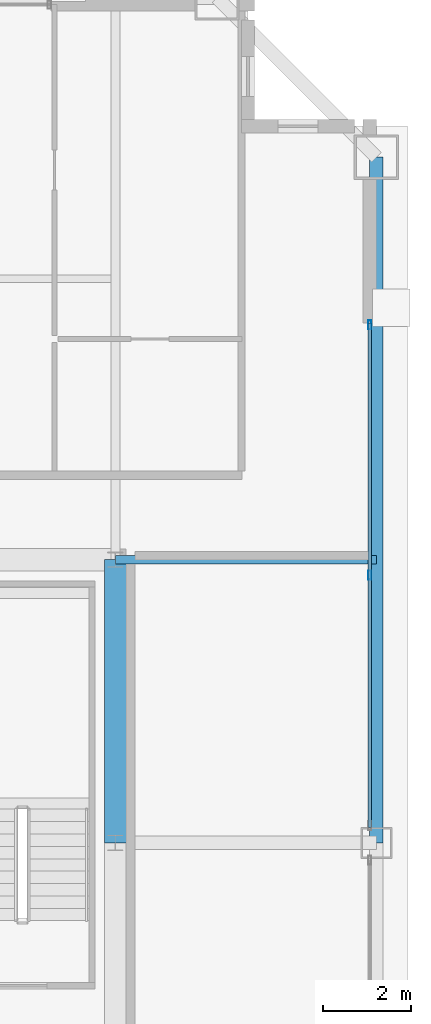
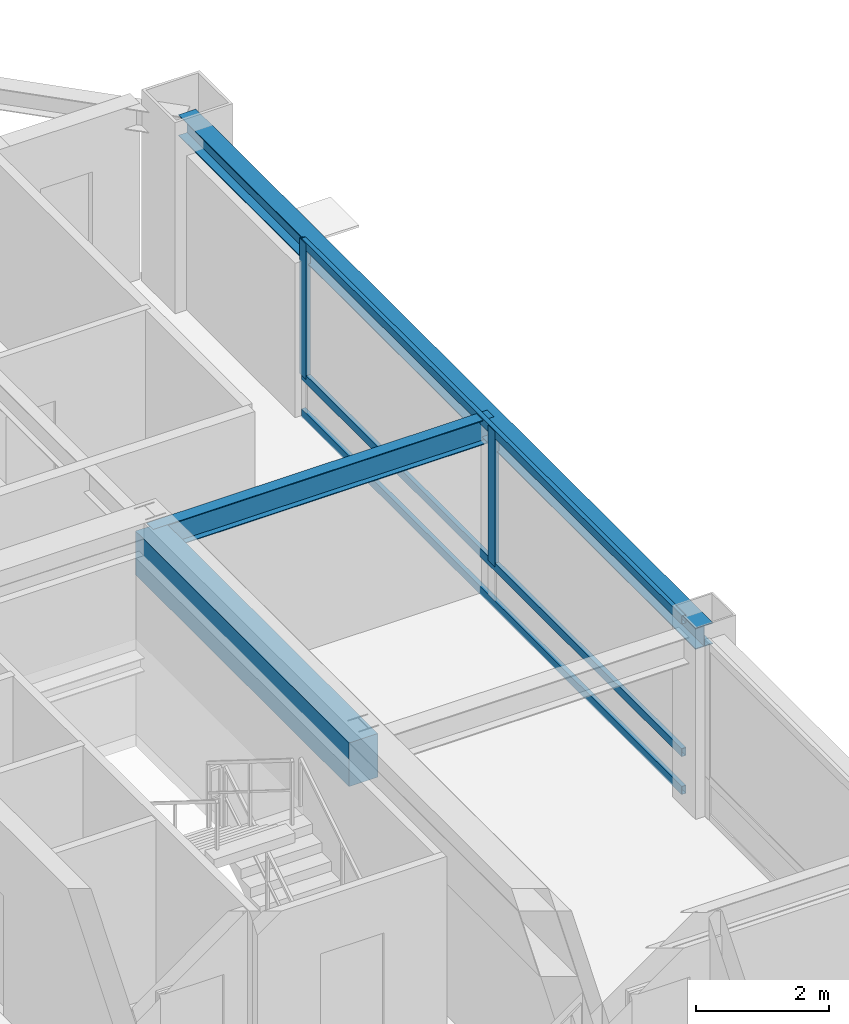
# One storey, part 15 of 35: 5 members, 3 beams, 1 element without a shape of its own.
"""IFC4 building model written with IfcOpenShell, lengths in metres."""

from ifc_helpers import new_model, si_unit, direction, frame, origin, origin_2d, place, context, subcontext, project, spatial, rectangle, hollow_rectangle, i_section, extrude, source, transform, mapped, material, layer, layer_set, material_profile, profile_set, type_object, element, aggregate, save


model = new_model("IFC4")

# Units and contexts
model_context = context("Model", 3, precision=1e-05, world=origin(), true_north=direction((0.0, 1.0)))
body_context = subcontext(model_context, "Body", "Model", "MODEL_VIEW")
ifc_project = project(units=[si_unit("LENGTHUNIT", "METRE"), si_unit("AREAUNIT", "SQUARE_METRE"), si_unit("VOLUMEUNIT", "CUBIC_METRE"), si_unit("PLANEANGLEUNIT", "RADIAN"), si_unit("MASSUNIT", "GRAM", prefix="KILO"), si_unit("THERMODYNAMICTEMPERATUREUNIT", "KELVIN"), si_unit("POWERUNIT", "WATT")], contexts=[model_context])

# Site, building, storey
site_placement = place(None, origin())
site = spatial("IfcSite", under=ifc_project, at=site_placement, CompositionType="ELEMENT")
building_placement = place(site_placement, origin())
building = spatial("IfcBuilding", under=site, at=building_placement, Name="Yuzanri Waterfront Tower", CompositionType="ELEMENT")
storey_placement = place(building_placement, frame((0.0, 0.0, 303.10009765625)))
storey = spatial("IfcBuildingStorey", under=building, at=storey_placement, Name="L81", CompositionType="ELEMENT", Elevation=303.10009765625)

# Beams
ifc_material_1 = material(Name="Concrete C50", Category="concrete")
ifc_material_profile_1 = material_profile(ifc_material_1, rectangle(XDim=0.5, YDim=0.800048828125, at=origin_2d()), Name="RC 500x800")
ifc_profile_set_1 = profile_set([ifc_material_profile_1], Name="Concrete C50")
beam_type_1 = type_object("IfcBeamType", Name="Core Coupling Lintel Concrete C50 500x800", PredefinedType="LINTEL", material=ifc_profile_set_1)
shared_shape_1 = source(origin(), body_context, "Body", "SweptSolid", [
    extrude(rectangle(XDim=0.5, YDim=0.800048828125, at=origin_2d()), origin(), (0.0, 0.0, 1.0), 6.39990234375),
])
beam_1_placement = place(storey_placement, frame((50.199951171875, 25.800048828125, 2.81982421875), z_axis=(0.0, 1.0, 0.0), x_axis=(-1.0, 0.0, 0.0)))
element("IfcBeam", 1, at=beam_1_placement, inside=storey, type_object=beam_type_1, Name="L81 Core Tie Beam CE2", PredefinedType="LINTEL", context=body_context, shape_type="MappedRepresentation", body=[
    mapped(shared_shape_1, transform((0.0, 0.0, 0.0), scale=1.0)),
])
ifc_material_2 = material(Name="Steel Q355B", Category="steel")
ifc_material_profile_2 = material_profile(ifc_material_2, i_section(OverallWidth=0.300048828125, OverallDepth=0.389892578125, WebThickness=0.010009765625, FlangeThickness=0.01611328125, at=origin_2d()), Name="HM 390x300x10x16")
ifc_profile_set_2 = profile_set([ifc_material_profile_2], Name="Steel Q355B")
beam_type_2 = type_object("IfcBeamType", Name="Perimeter Spandrel Q355B HM 390x300", PredefinedType="SPANDREL", material=ifc_profile_set_2)
shared_shape_2 = source(origin(), body_context, "Body", "SweptSolid", [
    extrude(i_section(OverallWidth=0.300048828125, OverallDepth=0.389892578125, WebThickness=0.010009765625, FlangeThickness=0.01611328125, at=origin_2d()), origin(), (0.0, 0.0, 1.0), 15.5),
])
beam_2_placement = place(storey_placement, frame((56.10009765625, 25.800048828125, 3.02490234375), z_axis=(0.0, 1.0, 0.0), x_axis=(-1.0, 0.0, 0.0)))
element("IfcBeam", 2, at=beam_2_placement, inside=storey, type_object=beam_type_2, Name="L81 Perimeter Spandrel E2-E3", PredefinedType="SPANDREL", context=body_context, shape_type="MappedRepresentation", body=[
    mapped(shared_shape_2, transform((0.0, 0.0, 0.0), scale=1.0)),
])
ifc_material_3 = material(Name="Steel Q355B", Category="steel")
ifc_material_profile_3 = material_profile(ifc_material_3, i_section(OverallWidth=0.199951171875, OverallDepth=0.449951171875, WebThickness=0.009033203125, FlangeThickness=0.013916015625, at=origin_2d()), Name="HN 450x200x9x14")
ifc_profile_set_3 = profile_set([ifc_material_profile_3], Name="Steel Q355B")
beam_type_3 = type_object("IfcBeamType", Name="Secondary Floor Beam Q355B HN 450x200", PredefinedType="BEAM", material=ifc_profile_set_3)
shared_shape_3 = source(origin(), body_context, "Body", "SweptSolid", [
    extrude(i_section(OverallWidth=0.199951171875, OverallDepth=0.449951171875, WebThickness=0.009033203125, FlangeThickness=0.013916015625, at=origin_2d()), origin(), (0.0, 0.0, 1.0), 5.900146484375),
])
beam_3_placement = place(storey_placement, frame((50.199951171875, 32.199951171875, 2.994873046875), z_axis=(1.0, 0.0, 0.0), x_axis=(0.0, 1.0, 0.0)))
element("IfcBeam", 3, at=beam_3_placement, inside=storey, type_object=beam_type_3, Name="L81 East-North Core Line Beam", PredefinedType="BEAM", context=body_context, shape_type="MappedRepresentation", body=[
    mapped(shared_shape_3, transform((0.0, 0.0, 0.0), scale=1.0)),
])

# Curtain wall, members
ifc_material_4 = material(Name="Anodized Architectural Bronze", Category="metal")
ifc_layer = layer(ifc_material_4, 0.159912109375)
ifc_layer_set = layer_set([ifc_layer], Name="Anodized Architectural Bronze")
curtain_wall_type = type_object("IfcCurtainWallType", Name="Anodized Bronze High-Rise Penthouse High-Wind Unitized Curtain Wall 6900", PredefinedType="NOTDEFINED", material=ifc_layer_set)
curtain_wall_placement = place(storey_placement, origin())
curtain_wall = element("IfcCurtainWall", 4, at=curtain_wall_placement, inside=storey, type_object=curtain_wall_type, Name="L81 Curtain Wall CW-L81-ER", PredefinedType="NOTDEFINED")
ifc_material_5 = material(Name="Anodized Architectural Bronze", Category="metal")
ifc_material_profile_4 = material_profile(ifc_material_5, hollow_rectangle(XDim=0.074951171875, YDim=0.14990234375, WallThickness=0.00390625, at=origin_2d()), Name="CWT 75x150")
ifc_profile_set_4 = profile_set([ifc_material_profile_4], Name="Anodized Architectural Bronze")
member_type_1 = type_object("IfcMemberType", Name="Anodized Bronze Primary Curtain-Wall Transom 75x150", PredefinedType="USERDEFINED", material=ifc_profile_set_4)
shared_shape_4 = source(origin(), body_context, "Body", "SweptSolid", [
    extrude(hollow_rectangle(XDim=0.074951171875, YDim=0.14990234375, WallThickness=0.00390625, at=origin_2d()), origin(), (0.0, 0.0, 1.0), 11.400146484375),
])
member_1_placement = place(storey_placement, frame((55.949951171875, 26.14990234375, 0.0498046875), z_axis=(0.0, 1.0, 0.0), x_axis=(-1.0, 0.0, 0.0)))
member_1 = element("IfcMember", 5, at=member_1_placement, type_object=member_type_1, Name="CW-L81-ER Transom 1", ObjectType="TRANSOM", PredefinedType="USERDEFINED", context=body_context, shape_type="MappedRepresentation", body=[
    mapped(shared_shape_4, transform((0.0, 0.0, 0.0), scale=1.0)),
])
member_2_placement = place(storey_placement, frame((55.949951171875, 26.14990234375, 0.740966796875), z_axis=(0.0, 1.0, 0.0), x_axis=(-1.0, 0.0, 0.0)))
member_2 = element("IfcMember", 6, at=member_2_placement, type_object=member_type_1, Name="CW-L81-ER Transom 2", ObjectType="TRANSOM", PredefinedType="USERDEFINED", context=body_context, shape_type="MappedRepresentation", body=[
    mapped(shared_shape_4, transform((0.0, 0.0, 0.0), scale=1.0)),
])
member_3_placement = place(storey_placement, frame((55.949951171875, 26.14990234375, 3.169921875), z_axis=(0.0, 1.0, 0.0), x_axis=(-1.0, 0.0, 0.0)))
member_3 = element("IfcMember", 7, at=member_3_placement, type_object=member_type_1, Name="CW-L81-ER Transom 3", ObjectType="TRANSOM", PredefinedType="USERDEFINED", context=body_context, shape_type="MappedRepresentation", body=[
    mapped(shared_shape_4, transform((0.0, 0.0, 0.0), scale=1.0)),
])
ifc_material_6 = material(Name="Anodized Architectural Bronze", Category="metal")
ifc_material_profile_5 = material_profile(ifc_material_6, hollow_rectangle(XDim=0.074951171875, YDim=0.199951171875, WallThickness=0.00390625, at=origin_2d()), Name="CWM 75x200")
ifc_profile_set_5 = profile_set([ifc_material_profile_5], Name="Anodized Architectural Bronze")
member_type_2 = type_object("IfcMemberType", Name="Anodized Bronze Primary Curtain-Wall Mullion 75x200", PredefinedType="MULLION", material=ifc_profile_set_5)
shared_shape_5 = source(origin(), body_context, "Body", "SweptSolid", [
    extrude(hollow_rectangle(XDim=0.074951171875, YDim=0.199951171875, WallThickness=0.00390625, at=origin_2d()), origin(), (0.0, 0.0, 1.0), 2.47705078125),
])
member_4_placement = place(storey_placement, frame((55.949951171875, 31.85009765625, 0.742919921875), z_axis=(0.0, 0.0, 1.0), x_axis=(1.0, 0.0, 0.0)))
member_4 = element("IfcMember", 8, at=member_4_placement, type_object=member_type_2, Name="CW-L81-ER Upper Mullion 01", PredefinedType="MULLION", context=body_context, shape_type="MappedRepresentation", body=[
    mapped(shared_shape_5, transform((0.0, 0.0, 0.0), scale=1.0)),
])
member_5_placement = place(storey_placement, frame((55.949951171875, 37.510009765625, 0.742919921875), z_axis=(0.0, 0.0, 1.0), x_axis=(1.0, 0.0, 0.0)))
member_5 = element("IfcMember", 9, at=member_5_placement, type_object=member_type_2, Name="CW-L81-ER Upper Mullion 02", PredefinedType="MULLION", context=body_context, shape_type="MappedRepresentation", body=[
    mapped(shared_shape_5, transform((0.0, 0.0, 0.0), scale=1.0)),
])
aggregate(curtain_wall, [member_4, member_5, member_1, member_2, member_3])

save(model, "model.ifc")
